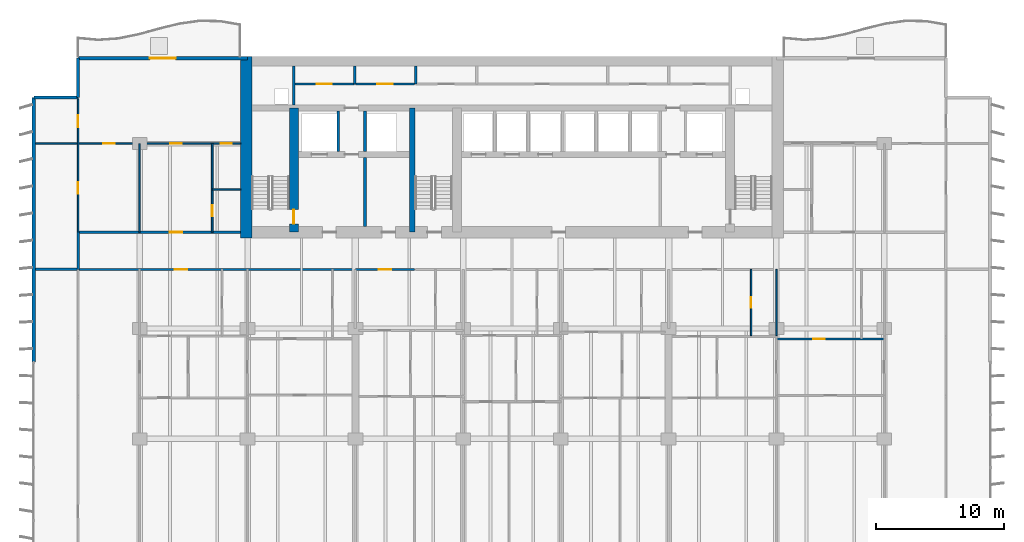
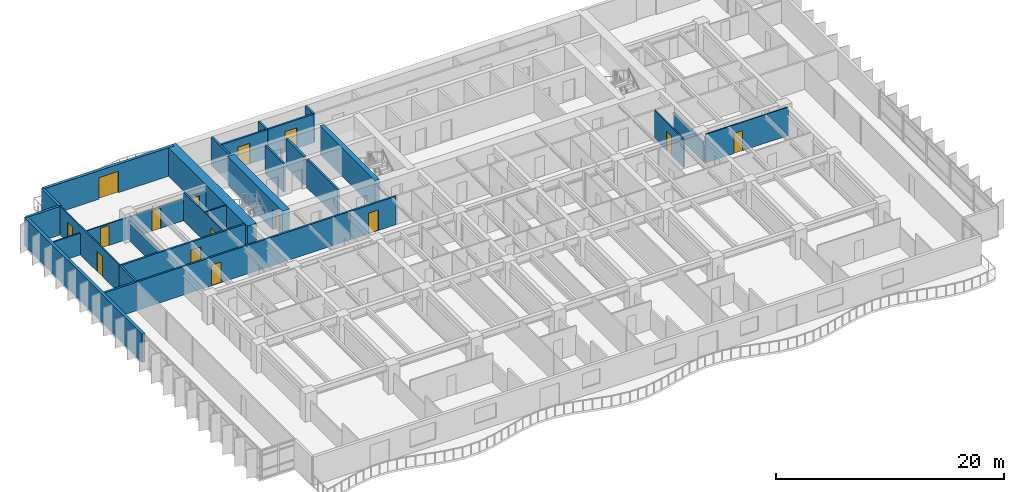
# One storey, part 10 of 18: 28 walls, 15 doors, 15 openings.
"""IFC4 building model written with IfcOpenShell, lengths in metres."""

from ifc_helpers import new_model, si_unit, direction, frame, frame_2d, origin, place, context, subcontext, project, spatial, rectangle, extrude, material, layer, layer_set, type_object, element, fill, save


model = new_model("IFC4")

# Units and contexts
model_context = context("Model", 3, precision=1e-05, world=origin(), true_north=direction((0.0, 1.0)))
body_context = subcontext(model_context, "Body", "Model", "MODEL_VIEW")
ifc_project = project(units=[si_unit("LENGTHUNIT", "METRE"), si_unit("AREAUNIT", "SQUARE_METRE"), si_unit("VOLUMEUNIT", "CUBIC_METRE"), si_unit("PLANEANGLEUNIT", "RADIAN"), si_unit("MASSUNIT", "GRAM", prefix="KILO")], contexts=[model_context])

# Site, building, storey
site_placement = place(None, origin())
site = spatial("IfcSite", under=ifc_project, at=site_placement, CompositionType="ELEMENT")
building_placement = place(site_placement, origin())
building = spatial("IfcBuilding", under=site, at=building_placement, Name="Caelmar Bay Residences", CompositionType="ELEMENT")
storey_placement = place(building_placement, frame((0.0, 0.0, 43.199951171875)))
storey = spatial("IfcBuildingStorey", under=building, at=storey_placement, Name="L10", CompositionType="ELEMENT", Elevation=43.199951171875)

# Wall, opening, door
ifc_material_1 = material(Name="Concrete f'c 55 MPa (8,000 psi)", Category="concrete")
ifc_layer_1 = layer(ifc_material_1, 0.699951171875)
ifc_layer_set_1 = layer_set([ifc_layer_1], Name="Concrete f'c 55 MPa (8,000 psi)")
wall_type_1 = type_object("IfcWallType", Name="SW-COR-700", PredefinedType="SHEAR", material=ifc_layer_set_1)
wall_1_placement = place(storey_placement, frame((21.89990234375, 36.89990234375, 0.0), z_axis=(0.0, 0.0, 1.0), x_axis=(0.0, 1.0, 0.0)))
wall_1 = element("IfcWall", 1, at=wall_1_placement, inside=storey, type_object=wall_type_1, Name="L10 Core Structural Web Wall ST1E", PredefinedType="SHEAR", context=body_context, shape_type="SweptSolid", body=[
    extrude(rectangle(XDim=9.675048828125, YDim=0.699951171875, at=frame_2d((4.83740234375, 0.0))), origin(), (0.0, 0.0, 1.0), 3.050048828125),
])
opening_1_placement = place(wall_1_placement, frame((0.64990234375, 0.0, 0.0)))
opening_1 = element("IfcOpeningElement", 2, at=opening_1_placement, cuts=wall_1, Name="Opening D-L10-108", PredefinedType="OPENING", context=body_context, shape_type="SweptSolid", body=[
    extrude(rectangle(XDim=1.10009765625, YDim=2.14990234375, at=frame_2d((0.550048828125, 1.074951171875))), frame((0.0, 0.35986328125, 0.0), z_axis=(0.0, -1.0, 0.0), x_axis=(1.0, 0.0, 0.0)), (0.0, 0.0, 1.0), 0.719970703125),
])
ifc_material_2 = material(Name="Fire-rated steel and walnut architectural door assembly", Category="steel")
ifc_layer_2 = layer(ifc_material_2, 0.050048828125)
ifc_layer_set_2 = layer_set([ifc_layer_2], Name="Fire-rated steel and walnut architectural door assembly")
door_type_1 = type_object("IfcDoorType", Name="D-STAIR-1100", OperationType="NOTDEFINED", PredefinedType="DOOR", material=ifc_layer_set_2)
door_1_placement = place(opening_1_placement, origin())
door_1 = element("IfcDoor", 3, at=door_1_placement, inside=storey, type_object=door_type_1, Name="L10 Firefighting Lobby West Door", OperationType="SINGLE_SWING_LEFT", OverallHeight=2.14990234375, OverallWidth=1.10009765625, PredefinedType="DOOR", context=body_context, shape_type="SweptSolid", body=[
    extrude(rectangle(XDim=1.10009765625, YDim=2.14990234375, at=frame_2d((0.550048828125, 1.074951171875))), frame((0.0, 0.02490234375, 0.0), z_axis=(0.0, -1.0, 0.0), x_axis=(1.0, 0.0, 0.0)), (0.0, 0.0, 1.0), 0.050048828125),
])
fill(opening_1, door_1)

# Walls
ifc_material_3 = material(Name="Concrete f'c 70 MPa (10,000 psi)", Category="concrete")
ifc_layer_3 = layer(ifc_material_3, 0.89990234375)
ifc_layer_set_3 = layer_set([ifc_layer_3], Name="Concrete f'c 70 MPa (10,000 psi)")
wall_type_2 = type_object("IfcWallType", Name="SW-COR-900", PredefinedType="SHEAR", material=ifc_layer_set_3)
wall_2_placement = place(storey_placement, frame((18.199951171875, 36.449951171875, 0.0), z_axis=(0.0, 0.0, 1.0), x_axis=(0.0, 1.0, 0.0)))
element("IfcWall", 4, at=wall_2_placement, inside=storey, type_object=wall_type_2, Name="L10 Rear Core West Shear Wall", PredefinedType="SHEAR", context=body_context, shape_type="SweptSolid", body=[
    extrude(rectangle(XDim=14.150146484375, YDim=0.89990234375, at=frame_2d((7.0751953125, 0.0))), origin(), (0.0, 0.0, 1.0), 3.050048828125),
])
ifc_layer_4 = layer(ifc_material_3, 0.449951171875)
ifc_layer_set_4 = layer_set([ifc_layer_4], Name="Concrete f'c 70 MPa (10,000 psi)")
wall_type_3 = type_object("IfcWallType", Name="SW-WEB-450", PredefinedType="SHEAR", material=ifc_layer_set_4)
wall_3_placement = place(storey_placement, frame((31.125, 36.89990234375, 0.0), z_axis=(0.0, 0.0, 1.0), x_axis=(0.0, 1.0, 0.0)))
element("IfcWall", 5, at=wall_3_placement, inside=storey, type_object=wall_type_3, Name="L10 Core Structural Web Wall ST3W", PredefinedType="SHEAR", context=body_context, shape_type="SweptSolid", body=[
    extrude(rectangle(XDim=9.675048828125, YDim=0.449951171875, at=frame_2d((4.83740234375, 0.0))), origin(), (0.0, 0.0, 1.0), 3.050048828125),
])
ifc_material_4 = material(Name="Double-stud acoustic fire-rated gypsum partition 180 mm")
ifc_layer_5 = layer(ifc_material_4, 0.179931640625)
ifc_layer_set_5 = layer_set([ifc_layer_5], Name="Double-stud acoustic fire-rated gypsum partition 180 mm")
wall_type_4 = type_object("IfcWallType", Name="W-COR-200", PredefinedType="PARTITIONING", material=ifc_layer_set_5)
wall_4_placement = place(storey_placement, frame((5.10009765625, 34.0048828125, 0.0), z_axis=(0.0, 0.0, 1.0), x_axis=(0.0, 1.0, 0.0)))
element("IfcWall", 6, at=wall_4_placement, inside=storey, type_object=wall_type_4, Name="L10 Partition Wall V006", PredefinedType="PARTITIONING", context=body_context, shape_type="SweptSolid", body=[
    extrude(rectangle(XDim=2.89501953125, YDim=0.179931640625, at=frame_2d((1.447509765625, 0.0))), origin(), (0.0, 0.0, 1.0), 3.050048828125),
])
for number, where, z_axis, x_axis, name in (
    (7, (26.64990234375, 48.449951171875, 0.0), (0.0, 0.0, 1.0), (0.0, 1.0, 0.0), "L10 Partition Wall V030"),
    (8, (31.39990234375, 48.449951171875, 0.0), (0.0, 0.0, 1.0), (0.0, 1.0, 0.0), "L10 Partition Wall V043"),
):
    element("IfcWall", number, at=place(storey_placement, frame(where, z_axis=z_axis, x_axis=x_axis)), inside=storey, type_object=wall_type_4, Name=name, PredefinedType="PARTITIONING", context=body_context, shape_type="SweptSolid", body=[
        extrude(rectangle(XDim=1.405029296875, YDim=0.179931640625, at=frame_2d((0.70263671875, 0.0))), origin(), (0.0, 0.0, 1.0), 3.050048828125),
    ])

# Wall, opening, door
wall_5_placement = place(storey_placement, frame((5.10498046875, 34.0, 0.0), z_axis=(0.0, 0.0, 1.0), x_axis=(1.0, 0.0, 0.0)))
wall_5 = element("IfcWall", 9, at=wall_5_placement, inside=storey, type_object=wall_type_4, Name="L10 Partition Wall H135", PredefinedType="PARTITIONING", context=body_context, shape_type="SweptSolid", body=[
    extrude(rectangle(XDim=21.544921875, YDim=0.179931640625, at=frame_2d((10.7724609375, 0.0))), origin(), (0.0, 0.0, 1.0), 3.050048828125),
])
opening_2_placement = place(wall_5_placement, frame((7.50439453125, 0.0, 0.0)))
opening_2 = element("IfcOpeningElement", 10, at=opening_2_placement, cuts=wall_5, Name="Opening D-L10-123", PredefinedType="OPENING", context=body_context, shape_type="SweptSolid", body=[
    extrude(rectangle(XDim=1.0, YDim=2.199951171875, at=frame_2d((0.5, 1.10009765625))), frame((0.0, 0.099853515625, 0.0), z_axis=(0.0, -1.0, 0.0), x_axis=(1.0, 0.0, 0.0)), (0.0, 0.0, 1.0), 0.199951171875),
])
ifc_layer_6 = layer(ifc_material_2, 0.050048828125)
ifc_layer_set_6 = layer_set([ifc_layer_6], Name="Fire-rated steel and walnut architectural door assembly")
door_type_2 = type_object("IfcDoorType", Name="D-UNIT-1000", OperationType="NOTDEFINED", PredefinedType="DOOR", material=ifc_layer_set_6)
door_2_placement = place(opening_2_placement, origin())
door_2 = element("IfcDoor", 11, at=door_2_placement, inside=storey, type_object=door_type_2, Name="L10 Residence 01 Apartment Hall Door", OperationType="SINGLE_SWING_RIGHT", OverallHeight=2.199951171875, OverallWidth=1.0, PredefinedType="DOOR", context=body_context, shape_type="SweptSolid", body=[
    extrude(rectangle(XDim=1.0, YDim=2.199951171875, at=frame_2d((0.5, 1.10009765625))), frame((0.0, 0.02490234375, 0.0), z_axis=(0.0, -1.0, 0.0), x_axis=(1.0, 0.0, 0.0)), (0.0, 0.0, 1.0), 0.050048828125),
])
fill(opening_2, door_2)

wall_6_placement = place(storey_placement, frame((26.699951171875, 34.0, 0.0), z_axis=(0.0, 0.0, 1.0), x_axis=(1.0, 0.0, 0.0)))
wall_6 = element("IfcWall", 12, at=wall_6_placement, inside=storey, type_object=wall_type_4, Name="L10 Partition Wall H136", PredefinedType="PARTITIONING", context=body_context, shape_type="SweptSolid", body=[
    extrude(rectangle(XDim=4.6201171875, YDim=0.179931640625, at=frame_2d((2.31005859375, 0.0))), origin(), (0.0, 0.0, 1.0), 3.050048828125),
])
opening_3_placement = place(wall_6_placement, frame((1.81005859375, 0.0, 0.0)))
opening_3 = element("IfcOpeningElement", 13, at=opening_3_placement, cuts=wall_6, Name="Opening D-L10-134", PredefinedType="OPENING", context=body_context, shape_type="SweptSolid", body=[
    extrude(rectangle(XDim=1.0, YDim=2.199951171875, at=frame_2d((0.5, 1.10009765625))), frame((0.0, 0.099853515625, 0.0), z_axis=(0.0, -1.0, 0.0), x_axis=(1.0, 0.0, 0.0)), (0.0, 0.0, 1.0), 0.199951171875),
])
door_3_placement = place(opening_3_placement, origin())
door_3 = element("IfcDoor", 14, at=door_3_placement, inside=storey, type_object=door_type_2, Name="L10 Residence 02 Apartment Hall Door", OperationType="SINGLE_SWING_LEFT", OverallHeight=2.199951171875, OverallWidth=1.0, PredefinedType="DOOR", context=body_context, shape_type="SweptSolid", body=[
    extrude(rectangle(XDim=1.0, YDim=2.199951171875, at=frame_2d((0.5, 1.10009765625))), frame((0.0, 0.02490234375, 0.0), z_axis=(0.0, -1.0, 0.0), x_axis=(1.0, 0.0, 0.0)), (0.0, 0.0, 1.0), 0.050048828125),
])
fill(opening_3, door_3)

wall_7_placement = place(storey_placement, frame((5.10009765625, 36.89990234375, 0.0), z_axis=(0.0, 0.0, 1.0), x_axis=(1.0, 0.0, 0.0)))
wall_7 = element("IfcWall", 15, at=wall_7_placement, inside=storey, type_object=wall_type_4, Name="L10 Partition Wall H139", PredefinedType="PARTITIONING", context=body_context, shape_type="SweptSolid", body=[
    extrude(rectangle(XDim=12.64501953125, YDim=0.179931640625, at=frame_2d((6.322509765625, 0.0))), origin(), (0.0, 0.0, 1.0), 3.050048828125),
])
opening_4_placement = place(wall_7_placement, frame((7.125, 0.0, 0.0)))
opening_4 = element("IfcOpeningElement", 16, at=opening_4_placement, cuts=wall_7, Name="Opening D-L10-169", PredefinedType="OPENING", context=body_context, shape_type="SweptSolid", body=[
    extrude(rectangle(XDim=1.0, YDim=2.199951171875, at=frame_2d((0.5, 1.10009765625))), frame((0.0, 0.099853515625, 0.0), z_axis=(0.0, -1.0, 0.0), x_axis=(1.0, 0.0, 0.0)), (0.0, 0.0, 1.0), 0.199951171875),
])
door_4_placement = place(opening_4_placement, origin())
door_4 = element("IfcDoor", 17, at=door_4_placement, inside=storey, type_object=door_type_2, Name="L10 Residence WA Kitchen Door", OperationType="SINGLE_SWING_RIGHT", OverallHeight=2.199951171875, OverallWidth=1.0, PredefinedType="DOOR", context=body_context, shape_type="SweptSolid", body=[
    extrude(rectangle(XDim=1.0, YDim=2.199951171875, at=frame_2d((0.5, 1.10009765625))), frame((0.0, 0.02490234375, 0.0), z_axis=(0.0, -1.0, 0.0), x_axis=(1.0, 0.0, 0.0)), (0.0, 0.0, 1.0), 0.050048828125),
])
fill(opening_4, door_4)

wall_8_placement = place(storey_placement, frame((21.89990234375, 48.449951171875, 0.0), z_axis=(0.0, 0.0, 1.0), x_axis=(1.0, 0.0, 0.0)))
wall_8 = element("IfcWall", 18, at=wall_8_placement, inside=storey, type_object=wall_type_4, Name="L10 Partition Wall H145", PredefinedType="PARTITIONING", context=body_context, shape_type="SweptSolid", body=[
    extrude(rectangle(XDim=4.75, YDim=0.179931640625, at=frame_2d((2.375, 0.0))), origin(), (0.0, 0.0, 1.0), 3.050048828125),
])
opening_5_placement = place(wall_8_placement, frame((1.77490234375, 0.0, 0.0)))
opening_5 = element("IfcOpeningElement", 19, at=opening_5_placement, cuts=wall_8, Name="Opening D-L10-117", PredefinedType="OPENING", context=body_context, shape_type="SweptSolid", body=[
    extrude(rectangle(XDim=1.199951171875, YDim=2.199951171875, at=frame_2d((0.60009765625, 1.10009765625))), frame((0.0, 0.099853515625, 0.0), z_axis=(0.0, -1.0, 0.0), x_axis=(1.0, 0.0, 0.0)), (0.0, 0.0, 1.0), 0.199951171875),
])
ifc_layer_7 = layer(ifc_material_2, 0.050048828125)
ifc_layer_set_7 = layer_set([ifc_layer_7], Name="Fire-rated steel and walnut architectural door assembly")
door_type_3 = type_object("IfcDoorType", Name="D-PLANT-1200", OperationType="NOTDEFINED", PredefinedType="DOOR", material=ifc_layer_set_7)
door_5_placement = place(opening_5_placement, origin())
door_5 = element("IfcDoor", 20, at=door_5_placement, inside=storey, type_object=door_type_3, Name="L10 Branch Panel Closet Door", OperationType="SINGLE_SWING_RIGHT", OverallHeight=2.199951171875, OverallWidth=1.199951171875, PredefinedType="DOOR", context=body_context, shape_type="SweptSolid", body=[
    extrude(rectangle(XDim=1.199951171875, YDim=2.199951171875, at=frame_2d((0.60009765625, 1.10009765625))), frame((0.0, 0.02490234375, 0.0), z_axis=(0.0, -1.0, 0.0), x_axis=(1.0, 0.0, 0.0)), (0.0, 0.0, 1.0), 0.050048828125),
])
fill(opening_5, door_5)

wall_9_placement = place(storey_placement, frame((26.699951171875, 48.449951171875, 0.0), z_axis=(0.0, 0.0, 1.0), x_axis=(1.0, 0.0, 0.0)))
wall_9 = element("IfcWall", 21, at=wall_9_placement, inside=storey, type_object=wall_type_4, Name="L10 Partition Wall H146", PredefinedType="PARTITIONING", context=body_context, shape_type="SweptSolid", body=[
    extrude(rectangle(XDim=4.6201171875, YDim=0.179931640625, at=frame_2d((2.31005859375, 0.0))), origin(), (0.0, 0.0, 1.0), 3.050048828125),
])
opening_6_placement = place(wall_9_placement, frame((1.7099609375, 0.0, 0.0)))
opening_6 = element("IfcOpeningElement", 22, at=opening_6_placement, cuts=wall_9, Name="Opening D-L10-118", PredefinedType="OPENING", context=body_context, shape_type="SweptSolid", body=[
    extrude(rectangle(XDim=1.199951171875, YDim=2.199951171875, at=frame_2d((0.60009765625, 1.10009765625))), frame((0.0, 0.099853515625, 0.0), z_axis=(0.0, -1.0, 0.0), x_axis=(1.0, 0.0, 0.0)), (0.0, 0.0, 1.0), 0.199951171875),
])
door_6_placement = place(opening_6_placement, origin())
door_6 = element("IfcDoor", 23, at=door_6_placement, inside=storey, type_object=door_type_3, Name="L10 Water Meter Closet Door", OperationType="SINGLE_SWING_LEFT", OverallHeight=2.199951171875, OverallWidth=1.199951171875, PredefinedType="DOOR", context=body_context, shape_type="SweptSolid", body=[
    extrude(rectangle(XDim=1.199951171875, YDim=2.199951171875, at=frame_2d((0.60009765625, 1.10009765625))), frame((0.0, 0.02490234375, 0.0), z_axis=(0.0, -1.0, 0.0), x_axis=(1.0, 0.0, 0.0)), (0.0, 0.0, 1.0), 0.050048828125),
])
fill(opening_6, door_6)

# Walls
ifc_material_5 = material(Name="Precast concrete f'c 40 MPa (6,000 psi)", Category="concrete")
ifc_layer_8 = layer(ifc_material_5, 0.25)
ifc_layer_set_8 = layer_set([ifc_layer_8], Name="Precast concrete f'c 40 MPa (6,000 psi)")
wall_type_5 = type_object("IfcWallType", Name="W-EXT-250", PredefinedType="ELEMENTEDWALL", material=ifc_layer_set_8)
wall_10_placement = place(storey_placement, frame((1.64990234375, 47.39990234375, 0.0), z_axis=(0.0, 0.0, 1.0), x_axis=(1.0, 0.0, 0.0)))
element("IfcWall", 24, at=wall_10_placement, inside=storey, type_object=wall_type_5, Name="L10 NNW-H Notch Wall", PredefinedType="ELEMENTEDWALL", context=body_context, shape_type="SweptSolid", body=[
    extrude(rectangle(XDim=3.4501953125, YDim=0.25, at=frame_2d((1.72509765625, 0.0))), origin(), (0.0, 0.0, 1.0), 3.050048828125),
])
wall_11_placement = place(storey_placement, frame((5.10009765625, 47.39990234375, 0.0), z_axis=(0.0, 0.0, 1.0), x_axis=(0.0, 1.0, 0.0)))
element("IfcWall", 25, at=wall_11_placement, inside=storey, type_object=wall_type_5, Name="L10 NNW-V Notch Wall", PredefinedType="ELEMENTEDWALL", context=body_context, shape_type="SweptSolid", body=[
    extrude(rectangle(XDim=3.050048828125, YDim=0.25, at=frame_2d((1.52490234375, 0.0))), origin(), (0.0, 0.0, 1.0), 3.050048828125),
])
ifc_layer_9 = layer(ifc_material_5, 0.300048828125)
ifc_layer_set_9 = layer_set([ifc_layer_9], Name="Precast concrete f'c 40 MPa (6,000 psi)")
wall_type_6 = type_object("IfcWallType", Name="W-EXT-300", PredefinedType="STANDARD", material=ifc_layer_set_9)
wall_12_placement = place(storey_placement, frame((1.64990234375, 26.800048828125, 0.0), z_axis=(0.0, 0.0, 1.0), x_axis=(0.0, 1.0, 0.0)))
element("IfcWall", 26, at=wall_12_placement, inside=storey, type_object=wall_type_6, Name="L10 West Rear Exterior Wall", PredefinedType="STANDARD", context=body_context, shape_type="SweptSolid", body=[
    extrude(rectangle(XDim=20.599853515625, YDim=0.300048828125, at=frame_2d((10.2998046875, 0.0))), origin(), (0.0, 0.0, 1.0), 3.050048828125),
])

# Wall, opening, door
wall_13_placement = place(storey_placement, frame((5.10009765625, 50.449951171875, 0.0), z_axis=(0.0, 0.0, 1.0), x_axis=(1.0, 0.0, 0.0)))
wall_13 = element("IfcWall", 27, at=wall_13_placement, inside=storey, type_object=wall_type_6, Name="L10 North-West Wing Exterior Wall", PredefinedType="STANDARD", context=body_context, shape_type="SweptSolid", body=[
    extrude(rectangle(XDim=13.199951171875, YDim=0.300048828125, at=frame_2d((6.60009765625, 0.0))), origin(), (0.0, 0.0, 1.0), 3.050048828125),
])
opening_7_placement = place(wall_13_placement, frame((5.60009765625, 0.0, 0.0)))
opening_7 = element("IfcOpeningElement", 28, at=opening_7_placement, cuts=wall_13, Name="Opening L10-BDNW", PredefinedType="OPENING", context=body_context, shape_type="SweptSolid", body=[
    extrude(rectangle(XDim=2.0, YDim=2.300048828125, at=frame_2d((1.0, 1.14990234375))), frame((0.0, 0.159912109375, 0.0), z_axis=(0.0, -1.0, 0.0), x_axis=(1.0, 0.0, 0.0)), (0.0, 0.0, 1.0), 0.320068359375),
])
ifc_material_6 = material(Name="Anodised bronze thermally broken sliding glass door", Category="glass")
ifc_layer_10 = layer(ifc_material_6, 0.050048828125)
ifc_layer_set_10 = layer_set([ifc_layer_10], Name="Anodised bronze thermally broken sliding glass door")
door_type_4 = type_object("IfcDoorType", Name="D-BAL-2000", OperationType="DOUBLE_DOOR_SLIDING", PredefinedType="DOOR", material=ifc_layer_set_10)
door_7_placement = place(opening_7_placement, origin())
door_7 = element("IfcDoor", 29, at=door_7_placement, inside=storey, type_object=door_type_4, Name="L10 North-West Balcony Door", OperationType="DOUBLE_DOOR_SLIDING", OverallHeight=2.300048828125, OverallWidth=2.0, PredefinedType="DOOR", context=body_context, shape_type="SweptSolid", body=[
    extrude(rectangle(XDim=2.0, YDim=2.300048828125, at=frame_2d((1.0, 1.14990234375))), frame((0.0, 0.02490234375, 0.0), z_axis=(0.0, -1.0, 0.0), x_axis=(1.0, 0.0, 0.0)), (0.0, 0.0, 1.0), 0.050048828125),
])
fill(opening_7, door_7)

# Walls
ifc_material_7 = material(Name="Fire-rated masonry and gypsum shaftliner assembly 200 mm", Category="masonry")
ifc_layer_11 = layer(ifc_material_7, 0.199951171875)
ifc_layer_set_11 = layer_set([ifc_layer_11], Name="Fire-rated masonry and gypsum shaftliner assembly 200 mm")
wall_type_7 = type_object("IfcWallType", Name="W-FSAE-200", PredefinedType="PARTITIONING", material=ifc_layer_set_11)
wall_14_placement = place(storey_placement, frame((21.89990234375, 46.794921875, 0.0), z_axis=(0.0, 0.0, 1.0), x_axis=(0.0, 1.0, 0.0)))
element("IfcWall", 30, at=wall_14_placement, inside=storey, type_object=wall_type_7, Name="L10 Partition Wall V026", PredefinedType="PARTITIONING", context=body_context, shape_type="SweptSolid", body=[
    extrude(rectangle(XDim=3.06005859375, YDim=0.199951171875, at=frame_2d((1.530029296875, 0.0))), origin(), (0.0, 0.0, 1.0), 3.050048828125),
])
wall_15_placement = place(storey_placement, frame((25.35009765625, 43.169921875, 0.0), z_axis=(0.0, 0.0, 1.0), x_axis=(0.0, 1.0, 0.0)))
element("IfcWall", 31, at=wall_15_placement, inside=storey, type_object=wall_type_7, Name="L10 Partition Wall V029", PredefinedType="PARTITIONING", context=body_context, shape_type="SweptSolid", body=[
    extrude(rectangle(XDim=3.18505859375, YDim=0.199951171875, at=frame_2d((1.592529296875, 0.0))), origin(), (0.0, 0.0, 1.0), 3.050048828125),
])
wall_16_placement = place(storey_placement, frame((27.449951171875, 37.344970703125, 0.0), z_axis=(0.0, 0.0, 1.0), x_axis=(0.0, 1.0, 0.0)))
element("IfcWall", 32, at=wall_16_placement, inside=storey, type_object=wall_type_7, Name="L10 Partition Wall V034", PredefinedType="PARTITIONING", context=body_context, shape_type="SweptSolid", body=[
    extrude(rectangle(XDim=5.385009765625, YDim=0.199951171875, at=frame_2d((2.6923828125, 0.0))), origin(), (0.0, 0.0, 1.0), 3.050048828125),
])
wall_17_placement = place(storey_placement, frame((27.449951171875, 43.169921875, 0.0), z_axis=(0.0, 0.0, 1.0), x_axis=(0.0, 1.0, 0.0)))
element("IfcWall", 33, at=wall_17_placement, inside=storey, type_object=wall_type_7, Name="L10 Partition Wall V035", PredefinedType="PARTITIONING", context=body_context, shape_type="SweptSolid", body=[
    extrude(rectangle(XDim=3.18505859375, YDim=0.199951171875, at=frame_2d((1.592529296875, 0.0))), origin(), (0.0, 0.0, 1.0), 3.050048828125),
])

# Wall, openings, doors
ifc_material_8 = material(Name="Acoustic metal-stud gypsum partition 120 mm")
ifc_layer_12 = layer(ifc_material_8, 0.1201171875)
ifc_layer_set_12 = layer_set([ifc_layer_12], Name="Acoustic metal-stud gypsum partition 120 mm")
wall_type_8 = type_object("IfcWallType", Name="W-PRT-120", PredefinedType="PARTITIONING", material=ifc_layer_set_12)
wall_18_placement = place(storey_placement, frame((5.10009765625, 36.905029296875, 0.0), z_axis=(0.0, 0.0, 1.0), x_axis=(0.0, 1.0, 0.0)))
wall_18 = element("IfcWall", 34, at=wall_18_placement, inside=storey, type_object=wall_type_8, Name="L10 Partition Wall V007", PredefinedType="PARTITIONING", context=body_context, shape_type="SweptSolid", body=[
    extrude(rectangle(XDim=10.375, YDim=0.1201171875, at=frame_2d((5.1875, 0.0))), origin(), (0.0, 0.0, 1.0), 3.050048828125),
])
opening_8_placement = place(wall_18_placement, frame((2.99755859375, 0.0, 0.0)))
opening_8 = element("IfcOpeningElement", 35, at=opening_8_placement, cuts=wall_18, Name="Opening D-L10-173", PredefinedType="OPENING", context=body_context, shape_type="SweptSolid", body=[
    extrude(rectangle(XDim=0.89990234375, YDim=2.14990234375, at=frame_2d((0.449951171875, 1.074951171875))), frame((0.0, 0.070068359375, 0.0), z_axis=(0.0, -1.0, 0.0), x_axis=(1.0, 0.0, 0.0)), (0.0, 0.0, 1.0), 0.14013671875),
])
opening_9_placement = place(wall_18_placement, frame((8.18505859375, 0.0, 0.0)))
opening_9 = element("IfcOpeningElement", 36, at=opening_9_placement, cuts=wall_18, Name="Opening D-L10-174", PredefinedType="OPENING", context=body_context, shape_type="SweptSolid", body=[
    extrude(rectangle(XDim=0.89990234375, YDim=2.14990234375, at=frame_2d((0.449951171875, 1.074951171875))), frame((0.0, 0.070068359375, 0.0), z_axis=(0.0, -1.0, 0.0), x_axis=(1.0, 0.0, 0.0)), (0.0, 0.0, 1.0), 0.14013671875),
])
ifc_material_9 = material(Name="Solid walnut timber interior door leaf and frame", Category="wood")
ifc_layer_13 = layer(ifc_material_9, 0.050048828125)
ifc_layer_set_13 = layer_set([ifc_layer_13], Name="Solid walnut timber interior door leaf and frame")
door_type_5 = type_object("IfcDoorType", Name="D-ROOM-900", OperationType="NOTDEFINED", PredefinedType="DOOR", material=ifc_layer_set_13)
door_8_placement = place(opening_8_placement, origin())
door_8 = element("IfcDoor", 37, at=door_8_placement, inside=storey, type_object=door_type_5, Name="L10 Residence WA Sun Study Door", OperationType="SINGLE_SWING_RIGHT", OverallHeight=2.14990234375, OverallWidth=0.89990234375, PredefinedType="DOOR", context=body_context, shape_type="SweptSolid", body=[
    extrude(rectangle(XDim=0.89990234375, YDim=2.14990234375, at=frame_2d((0.449951171875, 1.074951171875))), frame((0.0, 0.02490234375, 0.0), z_axis=(0.0, -1.0, 0.0), x_axis=(1.0, 0.0, 0.0)), (0.0, 0.0, 1.0), 0.050048828125),
])
fill(opening_8, door_8)
door_9_placement = place(opening_9_placement, origin())
door_9 = element("IfcDoor", 38, at=door_9_placement, inside=storey, type_object=door_type_5, Name="L10 Residence WA North Sitting Alcove Door", OperationType="SINGLE_SWING_LEFT", OverallHeight=2.14990234375, OverallWidth=0.89990234375, PredefinedType="DOOR", context=body_context, shape_type="SweptSolid", body=[
    extrude(rectangle(XDim=0.89990234375, YDim=2.14990234375, at=frame_2d((0.449951171875, 1.074951171875))), frame((0.0, 0.02490234375, 0.0), z_axis=(0.0, -1.0, 0.0), x_axis=(1.0, 0.0, 0.0)), (0.0, 0.0, 1.0), 0.050048828125),
])
fill(opening_9, door_9)

# Wall
wall_19_placement = place(storey_placement, frame((9.89990234375, 36.89990234375, 0.0), z_axis=(0.0, 0.0, 1.0), x_axis=(0.0, 1.0, 0.0)))
element("IfcWall", 39, at=wall_19_placement, inside=storey, type_object=wall_type_8, Name="L10 Partition Wall V014", PredefinedType="PARTITIONING", context=body_context, shape_type="SweptSolid", body=[
    extrude(rectangle(XDim=6.900146484375, YDim=0.1201171875, at=frame_2d((3.4501953125, 0.0))), origin(), (0.0, 0.0, 1.0), 2.110107421875),
])

# Wall, opening, door
wall_20_placement = place(storey_placement, frame((15.550048828125, 36.89990234375, 0.0), z_axis=(0.0, 0.0, 1.0), x_axis=(0.0, 1.0, 0.0)))
wall_20 = element("IfcWall", 40, at=wall_20_placement, inside=storey, type_object=wall_type_8, Name="L10 Partition Wall V018", PredefinedType="PARTITIONING", context=body_context, shape_type="SweptSolid", body=[
    extrude(rectangle(XDim=6.900146484375, YDim=0.1201171875, at=frame_2d((3.4501953125, 0.0))), origin(), (0.0, 0.0, 1.0), 3.050048828125),
])
opening_10_placement = place(wall_20_placement, frame((1.23095703125, 0.0, 0.0)))
opening_10 = element("IfcOpeningElement", 41, at=opening_10_placement, cuts=wall_20, Name="Opening D-L10-171", PredefinedType="OPENING", context=body_context, shape_type="SweptSolid", body=[
    extrude(rectangle(XDim=0.85009765625, YDim=2.10009765625, at=frame_2d((0.425048828125, 1.050048828125))), frame((0.0, 0.070068359375, 0.0), z_axis=(0.0, -1.0, 0.0), x_axis=(1.0, 0.0, 0.0)), (0.0, 0.0, 1.0), 0.14013671875),
])
ifc_layer_14 = layer(ifc_material_9, 0.050048828125)
ifc_layer_set_14 = layer_set([ifc_layer_14], Name="Solid walnut timber interior door leaf and frame")
door_type_6 = type_object("IfcDoorType", Name="D-BATH-850", OperationType="NOTDEFINED", PredefinedType="DOOR", material=ifc_layer_set_14)
door_10_placement = place(opening_10_placement, origin())
door_10 = element("IfcDoor", 42, at=door_10_placement, inside=storey, type_object=door_type_6, Name="L10 Residence WA Walk-In Closet Door", OperationType="SINGLE_SWING_RIGHT", OverallHeight=2.10009765625, OverallWidth=0.85009765625, PredefinedType="DOOR", context=body_context, shape_type="SweptSolid", body=[
    extrude(rectangle(XDim=0.85009765625, YDim=2.10009765625, at=frame_2d((0.425048828125, 1.050048828125))), frame((0.0, 0.02490234375, 0.0), z_axis=(0.0, -1.0, 0.0), x_axis=(1.0, 0.0, 0.0)), (0.0, 0.0, 1.0), 0.050048828125),
])
fill(opening_10, door_10)

wall_21_placement = place(storey_placement, frame((57.527099609375, 28.840087890625, 0.0), z_axis=(0.0, 0.0, 1.0), x_axis=(0.0, 1.0, 0.0)))
wall_21 = element("IfcWall", 43, at=wall_21_placement, inside=storey, type_object=wall_type_8, Name="L10 Partition Wall V089", PredefinedType="PARTITIONING", context=body_context, shape_type="SweptSolid", body=[
    extrude(rectangle(XDim=5.159912109375, YDim=0.1201171875, at=frame_2d((2.580078125, 0.0))), origin(), (0.0, 0.0, 1.0), 3.050048828125),
])
opening_11_placement = place(wall_21_placement, frame((2.155029296875, 0.0, 0.0)))
opening_11 = element("IfcOpeningElement", 44, at=opening_11_placement, cuts=wall_21, Name="Opening D-L10-156", PredefinedType="OPENING", context=body_context, shape_type="SweptSolid", body=[
    extrude(rectangle(XDim=0.85009765625, YDim=2.10009765625, at=frame_2d((0.425048828125, 1.050048828125))), frame((0.0, 0.070068359375, 0.0), z_axis=(0.0, -1.0, 0.0), x_axis=(1.0, 0.0, 0.0)), (0.0, 0.0, 1.0), 0.14013671875),
])
door_11_placement = place(opening_11_placement, origin())
door_11 = element("IfcDoor", 45, at=door_11_placement, inside=storey, type_object=door_type_6, Name="L10 Residence 05 Guest Bathroom Door", OperationType="SINGLE_SWING_LEFT", OverallHeight=2.10009765625, OverallWidth=0.85009765625, PredefinedType="DOOR", context=body_context, shape_type="SweptSolid", body=[
    extrude(rectangle(XDim=0.85009765625, YDim=2.10009765625, at=frame_2d((0.425048828125, 1.050048828125))), frame((0.0, 0.02490234375, 0.0), z_axis=(0.0, -1.0, 0.0), x_axis=(1.0, 0.0, 0.0)), (0.0, 0.0, 1.0), 0.050048828125),
])
fill(opening_11, door_11)

# Wall
wall_22_placement = place(storey_placement, frame((59.5, 28.840087890625, 0.0), z_axis=(0.0, 0.0, 1.0), x_axis=(0.0, 1.0, 0.0)))
element("IfcWall", 46, at=wall_22_placement, inside=storey, type_object=wall_type_8, Name="L10 Partition Wall V095", PredefinedType="PARTITIONING", context=body_context, shape_type="SweptSolid", body=[
    extrude(rectangle(XDim=5.159912109375, YDim=0.1201171875, at=frame_2d((2.580078125, 0.0))), origin(), (0.0, 0.0, 1.0), 2.110107421875),
])

# Wall, opening, door
wall_23_placement = place(storey_placement, frame((59.5, 28.580078125, 0.0), z_axis=(0.0, 0.0, 1.0), x_axis=(1.0, 0.0, 0.0)))
wall_23 = element("IfcWall", 47, at=wall_23_placement, inside=storey, type_object=wall_type_8, Name="L10 Partition Wall H126", PredefinedType="PARTITIONING", context=body_context, shape_type="SweptSolid", body=[
    extrude(rectangle(XDim=8.39990234375, YDim=0.1201171875, at=frame_2d((4.199951171875, 0.0))), origin(), (0.0, 0.0, 1.0), 3.050048828125),
])
opening_12_placement = place(wall_23_placement, frame((2.864501953125, 0.0, 0.0)))
opening_12 = element("IfcOpeningElement", 48, at=opening_12_placement, cuts=wall_23, Name="Opening D-L10-161", PredefinedType="OPENING", context=body_context, shape_type="SweptSolid", body=[
    extrude(rectangle(XDim=0.89990234375, YDim=2.14990234375, at=frame_2d((0.449951171875, 1.074951171875))), frame((0.0, 0.070068359375, 0.0), z_axis=(0.0, -1.0, 0.0), x_axis=(1.0, 0.0, 0.0)), (0.0, 0.0, 1.0), 0.14013671875),
])
door_12_placement = place(opening_12_placement, origin())
door_12 = element("IfcDoor", 49, at=door_12_placement, inside=storey, type_object=door_type_5, Name="L10 Residence 05 Home Office 1 Door", OperationType="SINGLE_SWING_RIGHT", OverallHeight=2.14990234375, OverallWidth=0.89990234375, PredefinedType="DOOR", context=body_context, shape_type="SweptSolid", body=[
    extrude(rectangle(XDim=0.89990234375, YDim=2.14990234375, at=frame_2d((0.449951171875, 1.074951171875))), frame((0.0, 0.02490234375, 0.0), z_axis=(0.0, -1.0, 0.0), x_axis=(1.0, 0.0, 0.0)), (0.0, 0.0, 1.0), 0.050048828125),
])
fill(opening_12, door_12)

# Wall
wall_24_placement = place(storey_placement, frame((15.550048828125, 40.2119140625, 0.0), z_axis=(0.0, 0.0, 1.0), x_axis=(1.0, 0.0, 0.0)))
element("IfcWall", 50, at=wall_24_placement, inside=storey, type_object=wall_type_8, Name="L10 Partition Wall H141", PredefinedType="PARTITIONING", context=body_context, shape_type="SweptSolid", body=[
    extrude(rectangle(XDim=2.204833984375, YDim=0.1201171875, at=frame_2d((1.1025390625, 0.0))), origin(), (0.0, 0.0, 1.0), 3.050048828125),
])

# Wall, openings, doors
wall_25_placement = place(storey_placement, frame((1.794921875, 43.800048828125, 0.0), z_axis=(0.0, 0.0, 1.0), x_axis=(1.0, 0.0, 0.0)))
wall_25 = element("IfcWall", 51, at=wall_25_placement, inside=storey, type_object=wall_type_8, Name="L10 Partition Wall H143", PredefinedType="PARTITIONING", context=body_context, shape_type="SweptSolid", body=[
    extrude(rectangle(XDim=15.9599609375, YDim=0.1201171875, at=frame_2d((7.97998046875, 0.0))), origin(), (0.0, 0.0, 1.0), 2.339111328125),
])
opening_13_placement = place(wall_25_placement, frame((5.2548828125, 0.0, 0.0)))
opening_13 = element("IfcOpeningElement", 52, at=opening_13_placement, cuts=wall_25, Name="Opening D-L10-168", PredefinedType="OPENING", context=body_context, shape_type="SweptSolid", body=[
    extrude(rectangle(XDim=0.89990234375, YDim=2.14990234375, at=frame_2d((0.449951171875, 1.074951171875))), frame((0.0, 0.070068359375, 0.0), z_axis=(0.0, -1.0, 0.0), x_axis=(1.0, 0.0, 0.0)), (0.0, 0.0, 1.0), 0.14013671875),
])
opening_14_placement = place(wall_25_placement, frame((10.47998046875, 0.0, 0.0)))
opening_14 = element("IfcOpeningElement", 53, at=opening_14_placement, cuts=wall_25, Name="Opening D-L10-170", PredefinedType="OPENING", context=body_context, shape_type="SweptSolid", body=[
    extrude(rectangle(XDim=0.89990234375, YDim=2.14990234375, at=frame_2d((0.449951171875, 1.074951171875))), frame((0.0, 0.070068359375, 0.0), z_axis=(0.0, -1.0, 0.0), x_axis=(1.0, 0.0, 0.0)), (0.0, 0.0, 1.0), 0.14013671875),
])
opening_15_placement = place(wall_25_placement, frame((14.4326171875, 0.0, 0.0)))
opening_15 = element("IfcOpeningElement", 54, at=opening_15_placement, cuts=wall_25, Name="Opening D-L10-172", PredefinedType="OPENING", context=body_context, shape_type="SweptSolid", body=[
    extrude(rectangle(XDim=0.85009765625, YDim=2.10009765625, at=frame_2d((0.425048828125, 1.050048828125))), frame((0.0, 0.070068359375, 0.0), z_axis=(0.0, -1.0, 0.0), x_axis=(1.0, 0.0, 0.0)), (0.0, 0.0, 1.0), 0.14013671875),
])
door_13_placement = place(opening_15_placement, origin())
door_13 = element("IfcDoor", 55, at=door_13_placement, inside=storey, type_object=door_type_6, Name="L10 Residence WA Bathroom Door", OperationType="SINGLE_SWING_LEFT", OverallHeight=2.10009765625, OverallWidth=0.85009765625, PredefinedType="DOOR", context=body_context, shape_type="SweptSolid", body=[
    extrude(rectangle(XDim=0.85009765625, YDim=2.10009765625, at=frame_2d((0.425048828125, 1.050048828125))), frame((0.0, 0.02490234375, 0.0), z_axis=(0.0, -1.0, 0.0), x_axis=(1.0, 0.0, 0.0)), (0.0, 0.0, 1.0), 0.050048828125),
])
fill(opening_15, door_13)
door_14_placement = place(opening_13_placement, origin())
door_14 = element("IfcDoor", 56, at=door_14_placement, inside=storey, type_object=door_type_5, Name="L10 Residence WA Study Door", OperationType="SINGLE_SWING_LEFT", OverallHeight=2.14990234375, OverallWidth=0.89990234375, PredefinedType="DOOR", context=body_context, shape_type="SweptSolid", body=[
    extrude(rectangle(XDim=0.89990234375, YDim=2.14990234375, at=frame_2d((0.449951171875, 1.074951171875))), frame((0.0, 0.02490234375, 0.0), z_axis=(0.0, -1.0, 0.0), x_axis=(1.0, 0.0, 0.0)), (0.0, 0.0, 1.0), 0.050048828125),
])
fill(opening_13, door_14)
door_15_placement = place(opening_14_placement, origin())
door_15 = element("IfcDoor", 57, at=door_15_placement, inside=storey, type_object=door_type_5, Name="L10 Residence WA Studio Living and Sleeping Room Door", OperationType="SINGLE_SWING_LEFT", OverallHeight=2.14990234375, OverallWidth=0.89990234375, PredefinedType="DOOR", context=body_context, shape_type="SweptSolid", body=[
    extrude(rectangle(XDim=0.89990234375, YDim=2.14990234375, at=frame_2d((0.449951171875, 1.074951171875))), frame((0.0, 0.02490234375, 0.0), z_axis=(0.0, -1.0, 0.0), x_axis=(1.0, 0.0, 0.0)), (0.0, 0.0, 1.0), 0.050048828125),
])
fill(opening_14, door_15)

# Wall
ifc_material_10 = material(Name="Acoustic twin-stud fire-rated inter-tenancy partition 200 mm")
ifc_layer_15 = layer(ifc_material_10, 0.199951171875)
ifc_layer_set_15 = layer_set([ifc_layer_15], Name="Acoustic twin-stud fire-rated inter-tenancy partition 200 mm")
wall_type_9 = type_object("IfcWallType", Name="W-PTY-200", PredefinedType="PARTITIONING", material=ifc_layer_set_15)
wall_26_placement = place(storey_placement, frame((1.794921875, 34.0, 0.0), z_axis=(0.0, 0.0, 1.0), x_axis=(1.0, 0.0, 0.0)))
element("IfcWall", 58, at=wall_26_placement, inside=storey, type_object=wall_type_9, Name="L10 Partition Wall H134", PredefinedType="PARTITIONING", context=body_context, shape_type="SweptSolid", body=[
    extrude(rectangle(XDim=3.30517578125, YDim=0.199951171875, at=frame_2d((1.652587890625, 0.0))), origin(), (0.0, 0.0, 1.0), 3.050048828125),
])

save(model, "model.ifc")
